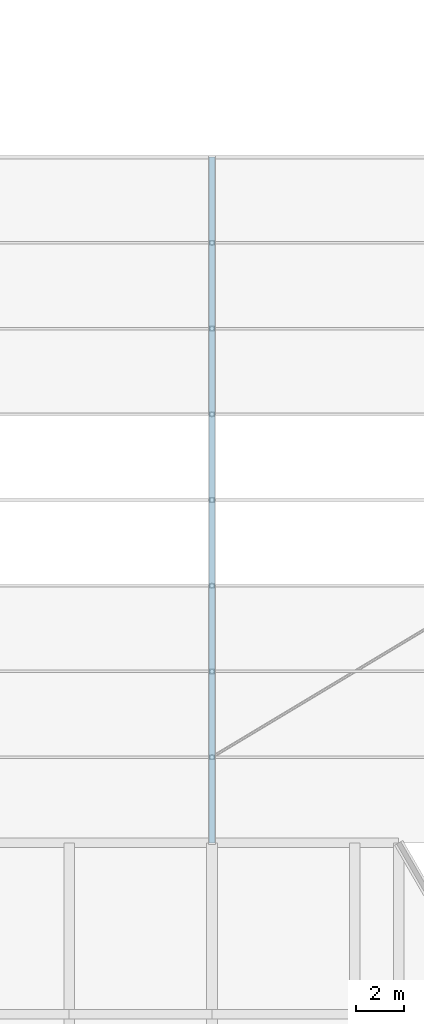
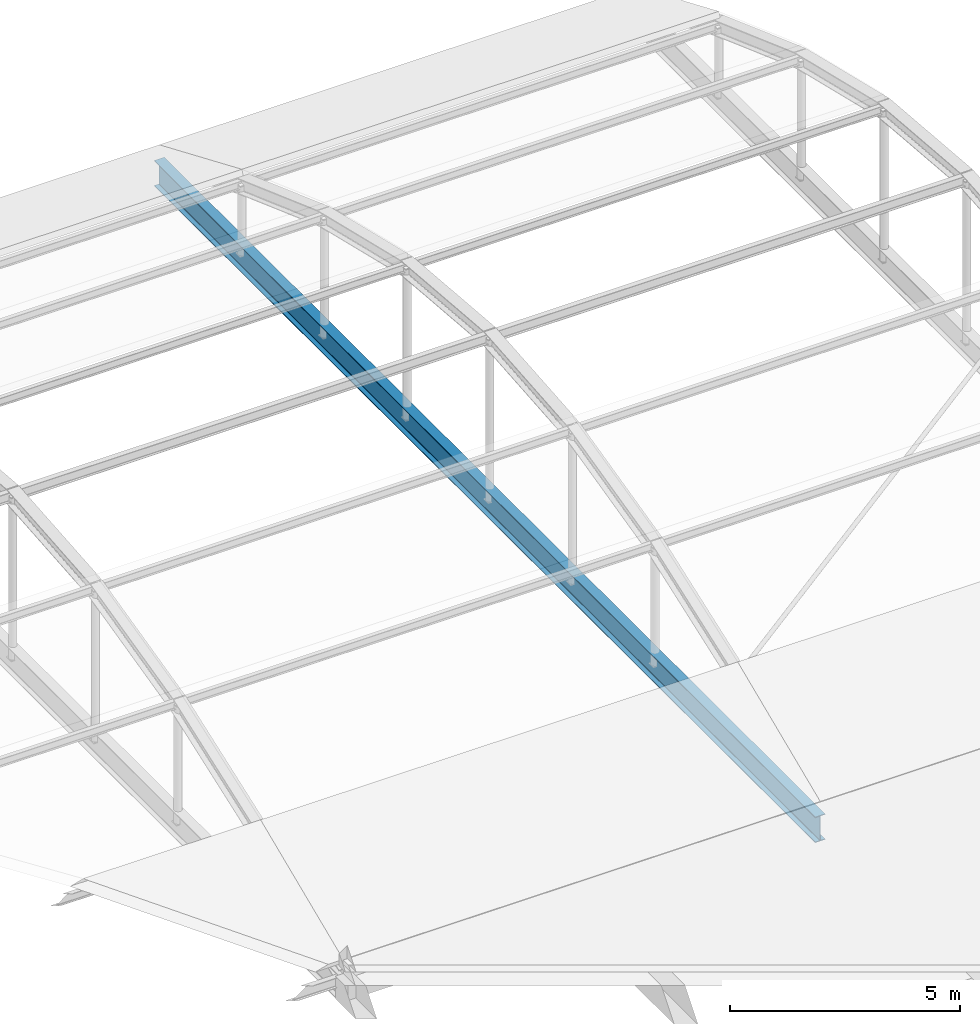
# One storey, part 180 of 239: 1 beam.
"""IFC4 building model written with IfcOpenShell, lengths in metres."""

import ifcopenshell
import ifcopenshell.guid

model = None  # the IFC model being written
_history = None  # IfcOwnerHistory: only IFC2X3 demands one
_inside = {}  # id of a spatial element -> (the spatial element, [elements in it])
_under = {}  # id of a project, library or spatial element -> (it, [spatial elements below it])
_declared = {}  # id of a project -> (the project, [libraries it declares])
_typed = {}  # id of a type object -> (the type object, [elements of that type])
_made_of = {}  # id of a material, layer set ... -> (it, [elements and type objects made of it])


def new_model(schema):
    """Start an empty IFC model of exactly this schema.

    Asked for "IFC4X3", IfcOpenShell would pick the latest addendum, in which some entities
    have other attributes; the version numbers below select the first issue.
    IFC2X3 requires an IfcOwnerHistory on every rooted entity: one is made here for all.
    """
    global model, _history
    if schema == "IFC4X3":
        model = ifcopenshell.file(schema_version=(4, 3, 0, 0))
    else:
        model = ifcopenshell.file(schema=schema)
    _inside.clear()
    _under.clear()
    _declared.clear()
    _typed.clear()
    _made_of.clear()
    _history = None
    if model.schema == "IFC2X3":
        org = make("IfcOrganization", Name="unknown")
        user = make(
            "IfcPersonAndOrganization",
            ThePerson=make("IfcPerson", FamilyName="unknown"),
            TheOrganization=org,
        )
        app = make(
            "IfcApplication",
            ApplicationDeveloper=org,
            Version="unknown",
            ApplicationFullName="unknown",
            ApplicationIdentifier="unknown",
        )
        _history = make(
            "IfcOwnerHistory",
            OwningUser=user,
            OwningApplication=app,
            ChangeAction="ADDED",
            CreationDate=0,
        )
    return model


def make(cls, **values):
    """One entity of the class cls with the attributes given. An attribute that is None is left unset."""
    return model.create_entity(
        cls, **{name: value for name, value in values.items() if value is not None}
    )


def rooted(cls, **values):
    """An entity with a GlobalId (a new one), such as an element, a storey or a relation."""
    return make(cls, GlobalId=ifcopenshell.guid.new(), OwnerHistory=_history, **values)


def si_unit(unit_type, name, prefix=None):
    """IfcSIUnit, for example si_unit("LENGTHUNIT", "METRE", prefix="MILLI")."""
    return make("IfcSIUnit", UnitType=unit_type, Prefix=prefix, Name=name)


def assignment(units):
    """IfcUnitAssignment: the units of a project."""
    return None if units is None else make("IfcUnitAssignment", Units=units)


def point(xyz):
    """IfcCartesianPoint."""
    return None if xyz is None else make("IfcCartesianPoint", Coordinates=xyz)


def direction(xyz):
    """IfcDirection."""
    return None if xyz is None else make("IfcDirection", DirectionRatios=xyz)


def frame(location, z_axis=None, x_axis=None):
    """IfcAxis2Placement3D, a coordinate frame: its origin and axes. An axis left out is left unset."""
    return make(
        "IfcAxis2Placement3D",
        Location=point(location),
        Axis=direction(z_axis),
        RefDirection=direction(x_axis),
    )


def frame_2d(location, x_axis=None):
    """IfcAxis2Placement2D, a coordinate frame in the plane: its origin and x axis."""
    return make(
        "IfcAxis2Placement2D", Location=point(location), RefDirection=direction(x_axis)
    )


def origin():
    """The frame at (0, 0, 0) with its axes left unset."""
    return frame((0.0, 0.0, 0.0))


def origin_2d():
    """The frame at (0, 0) in the plane with its x axis left unset."""
    return frame_2d((0.0, 0.0))


def place(relative_to, where):
    """IfcLocalPlacement: puts the frame where relative to a parent placement (None: the world)."""
    return make(
        "IfcLocalPlacement", PlacementRelTo=relative_to, RelativePlacement=where
    )


def context(
    kind, dimensions, precision=None, world=None, true_north=None, identifier=None
):
    """IfcGeometricRepresentationContext, for example the 3D "Model" context."""
    return make(
        "IfcGeometricRepresentationContext",
        ContextIdentifier=identifier,
        ContextType=kind,
        CoordinateSpaceDimension=dimensions,
        Precision=precision,
        WorldCoordinateSystem=world,
        TrueNorth=true_north,
    )


def subcontext(parent, identifier, kind, view, scale=None):
    """IfcGeometricRepresentationSubContext, for example "Body" below "Model"."""
    return make(
        "IfcGeometricRepresentationSubContext",
        ContextIdentifier=identifier,
        ContextType=kind,
        ParentContext=parent,
        TargetScale=scale,
        TargetView=view,
    )


def project(units=None, contexts=None):
    """IfcProject with its units and contexts."""
    return rooted(
        "IfcProject",
        Name="project",
        RepresentationContexts=contexts,
        UnitsInContext=assignment(units),
    )


def spatial(cls, under=None, at=None, **own):
    """A site, building, storey or space (cls), placed at a placement, below another one or the project."""
    s = rooted(cls, ObjectPlacement=at, **own)
    if under is not None:
        _under.setdefault(under.id(), (under, []))[1].append(s)
    return s


def profile(cls, at=None, kind="AREA", **sizes):
    """A parametric profile (cls). Its sizes go by their IFC names, for example OverallWidth=200.0."""
    return make(cls, ProfileType=kind, Position=at, **sizes)


def i_section(**sizes):
    """IfcIShapeProfileDef."""
    return profile("IfcIShapeProfileDef", **sizes)


def extrude(swept, where, along, depth):
    """IfcExtrudedAreaSolid: the profile swept, set in the frame where, extruded along a direction by depth."""
    return make(
        "IfcExtrudedAreaSolid",
        SweptArea=swept,
        Position=where,
        ExtrudedDirection=direction(along),
        Depth=depth,
    )


def shape(context_of_items, identifier, shape_type, items):
    """IfcShapeRepresentation: the items that make up one representation, for example the "Body"."""
    return make(
        "IfcShapeRepresentation",
        ContextOfItems=context_of_items,
        RepresentationIdentifier=identifier,
        RepresentationType=shape_type,
        Items=items,
    )


def material(Name=None, Category=None):
    """IfcMaterial."""
    return make("IfcMaterial", Name=Name, Category=Category)


def material_profile(
    of_material, cross_section, Name=None, Category=None, Priority=None
):
    """IfcMaterialProfile: a cross section and its material."""
    return make(
        "IfcMaterialProfile",
        Name=Name,
        Material=of_material,
        Profile=cross_section,
        Priority=Priority,
        Category=Category,
    )


def profile_set(profiles, Name=None, composite=None):
    """IfcMaterialProfileSet."""
    return make(
        "IfcMaterialProfileSet",
        Name=Name,
        MaterialProfiles=profiles,
        CompositeProfile=composite,
    )


def made_of(thing, what):
    """Note that an element or type object is made of a material, layer set ...; save() writes the relation."""
    if what is not None:
        _made_of.setdefault(what.id(), (what, []))[1].append(thing)
    return thing


def type_object(cls, material=None, **own):
    """A type object (cls), such as IfcWallType, which elements share."""
    return made_of(rooted(cls, **own), material)


def element(
    cls,
    number,
    at=None,
    inside=None,
    cuts=None,
    type_object=None,
    material=None,
    context=None,
    identifier="Body",
    shape_type=None,
    held_by="IfcProductDefinitionShape",
    body=None,
    shapes=None,
    **own,
):
    """One element of the class cls, such as IfcWall. Its Tag is "e" and its number.

    at: its placement. inside: the storey or other place that contains it. cuts: it is an
    opening in that element (IfcRelVoidsElement). A single representation is given by context,
    identifier, shape_type and body (its items); several are given by shapes. held_by: the class
    of the entity that holds the representations. save() writes the other relations.
    """
    e = rooted(cls, Tag="e%d" % number, ObjectPlacement=at, **own)
    if body is not None:
        shapes = [shape(context, identifier, shape_type, body)]
    if shapes is not None:
        e.Representation = make(held_by, Representations=shapes)
    if inside is not None:
        _inside.setdefault(inside.id(), (inside, []))[1].append(e)
    if cuts is not None:
        rooted(
            "IfcRelVoidsElement", RelatingBuildingElement=cuts, RelatedOpeningElement=e
        )
    if type_object is not None:
        _typed.setdefault(type_object.id(), (type_object, []))[1].append(e)
    return made_of(e, material)


def aggregate(whole, parts):
    """IfcRelAggregates: a whole, such as a stair, and the parts it consists of."""
    return rooted("IfcRelAggregates", RelatingObject=whole, RelatedObjects=parts)


def save(model, path):
    """Write the relations noted so far, then the file.

    IfcRelAggregates (storeys below a building ...), IfcRelContainedInSpatialStructure (elements
    in a storey), IfcRelDefinesByType, IfcRelAssociatesMaterial and IfcRelDeclares: one each for
    every whole, place, type object, material and project.
    """
    for whole, parts in _under.values():
        aggregate(whole, parts)
    for where, things in _inside.values():
        rooted(
            "IfcRelContainedInSpatialStructure",
            RelatedElements=things,
            RelatingStructure=where,
        )
    for kind, things in _typed.values():
        rooted("IfcRelDefinesByType", RelatedObjects=things, RelatingType=kind)
    for what, things in _made_of.values():
        rooted("IfcRelAssociatesMaterial", RelatedObjects=things, RelatingMaterial=what)
    for by, libraries in _declared.values():
        rooted("IfcRelDeclares", RelatingContext=by, RelatedDefinitions=libraries)
    model.write(path)


model = new_model("IFC4")

# Units and contexts
model_context = context("Model", 3, precision=1e-05, world=origin(), true_north=direction((0.0, 1.0)))
body_context = subcontext(model_context, "Body", "Model", "MODEL_VIEW")
ifc_project = project(units=[si_unit("LENGTHUNIT", "METRE"), si_unit("AREAUNIT", "SQUARE_METRE"), si_unit("VOLUMEUNIT", "CUBIC_METRE"), si_unit("PLANEANGLEUNIT", "RADIAN"), si_unit("MASSUNIT", "GRAM", prefix="KILO")], contexts=[model_context])

# Site, building, storey
site_placement = place(None, origin())
site = spatial("IfcSite", under=ifc_project, at=site_placement, CompositionType="ELEMENT")
building_placement = place(site_placement, origin())
building = spatial("IfcBuilding", under=site, at=building_placement, Name="Dunvalen Ferry Terminal", CompositionType="ELEMENT")
storey_placement = place(building_placement, frame((0.0, 0.0, 9.840087890625)))
storey = spatial("IfcBuildingStorey", under=building, at=storey_placement, Name="L02", CompositionType="ELEMENT", Elevation=9.840087890625)

# Beam
ifc_material = material(Name="Steel S355", Category="steel")
ifc_material_profile = material_profile(ifc_material, i_section(OverallWidth=0.253662109375, OverallDepth=0.68359375, WebThickness=0.012451171875, FlangeThickness=0.01904296875, FilletRadius=0.01513671875, at=origin_2d()), Name="Steel S355")
ifc_profile_set = profile_set([ifc_material_profile], Name="Steel S355")
beam_type = type_object("IfcBeamType", Name="STR-BM-UKB686", PredefinedType="BEAM", material=ifc_profile_set)
beam_placement = place(storey_placement, frame((156.0, 57.60009765625, -0.340087890625), z_axis=(0.0, 1.0, 0.0), x_axis=(-1.0, 0.0, 0.0)))
element("IfcBeam", 1, at=beam_placement, inside=storey, type_object=beam_type, Name="Arrivals Hall Barrel-Vault Tie Girder 05", PredefinedType="BEAM", context=body_context, shape_type="SweptSolid", body=[
    extrude(i_section(OverallWidth=0.253662109375, OverallDepth=0.68359375, WebThickness=0.012451171875, FlangeThickness=0.01904296875, FilletRadius=0.01513671875, at=origin_2d()), origin(), (0.0, 0.0, 1.0), 28.7998046875),
])

save(model, "model.ifc")
